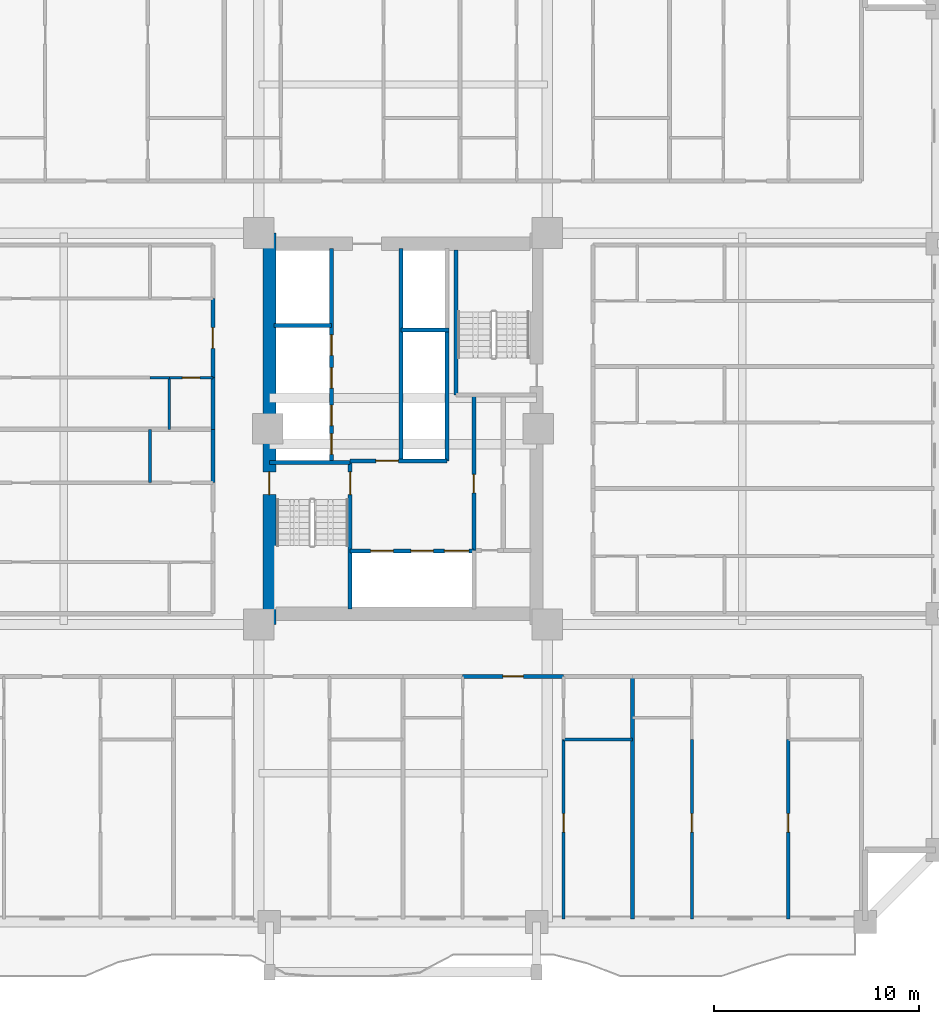
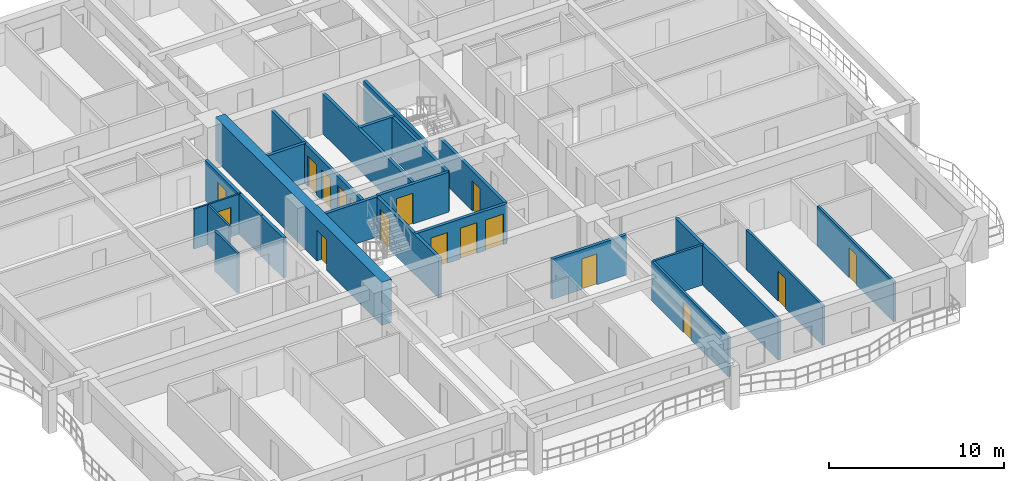
# One storey, part 4 of 18: 25 walls, 17 doors, 17 openings.
"""IFC4 building model written with IfcOpenShell, lengths in metres."""

from ifc_helpers import new_model, si_unit, direction, frame, frame_2d, origin, place, context, subcontext, project, spatial, rectangle, extrude, source, transform, mapped, material, layer, layer_set, type_object, element, fill, save


model = new_model("IFC4")

# Units and contexts
model_context = context("Model", 3, precision=1e-05, world=origin(), true_north=direction((0.0, 1.0)))
body_context = subcontext(model_context, "Body", "Model", "MODEL_VIEW")
ifc_project = project(units=[si_unit("LENGTHUNIT", "METRE"), si_unit("AREAUNIT", "SQUARE_METRE"), si_unit("VOLUMEUNIT", "CUBIC_METRE"), si_unit("PLANEANGLEUNIT", "RADIAN"), si_unit("MASSUNIT", "GRAM", prefix="KILO")], contexts=[model_context])

# Site, building, storey
site_placement = place(None, origin())
site = spatial("IfcSite", under=ifc_project, at=site_placement, CompositionType="ELEMENT")
building_placement = place(site_placement, origin())
building = spatial("IfcBuilding", under=site, at=building_placement, Name="Saelheon Loggia Tower", CompositionType="ELEMENT")
storey_placement = place(building_placement, frame((0.0, 0.0, 40.39990234375)))
storey = spatial("IfcBuildingStorey", under=building, at=storey_placement, Name="L12", CompositionType="ELEMENT", Elevation=40.39990234375)

# Wall, opening, door
ifc_material_1 = material(Name="Concrete C60/75", Category="concrete")
ifc_layer_1 = layer(ifc_material_1, 0.64990234375)
ifc_layer_set_1 = layer_set([ifc_layer_1], Name="Concrete C60/75")
wall_type_1 = type_object("IfcWallType", Name="Wall_CoreShear_650", PredefinedType="SHEAR", material=ifc_layer_set_1)
wall_1_placement = place(storey_placement, frame((31.5, 17.47998046875, 0.0), z_axis=(0.0, 0.0, 1.0), x_axis=(0.0, 1.0, 0.0)))
wall_1 = element("IfcWall", 1, at=wall_1_placement, inside=storey, type_object=wall_type_1, Name="L12 Core Shear Wall West", PredefinedType="SHEAR", context=body_context, shape_type="SweptSolid", body=[
    extrude(rectangle(XDim=19.0400390625, YDim=0.64990234375, at=frame_2d((9.52001953125, 0.0))), origin(), (0.0, 0.0, 1.0), 3.0),
])
opening_1_placement = place(wall_1_placement, frame((6.320068359375, 0.0, 0.0)))
opening_1 = element("IfcOpeningElement", 2, at=opening_1_placement, cuts=wall_1, Name="Opening D-FD2", PredefinedType="OPENING", context=body_context, shape_type="SweptSolid", body=[
    extrude(rectangle(XDim=1.10009765625, YDim=2.14990234375, at=frame_2d((0.550048828125, 1.074951171875))), frame((0.0, 0.3369140625, 0.0), z_axis=(0.0, -1.0, 0.0), x_axis=(1.0, 0.0, 0.0)), (0.0, 0.0, 1.0), 0.673828125),
])
ifc_material_2 = material(Name="Galvanised Steel Fire Door", Category="steel")
door_type_1 = type_object("IfcDoorType", Name="Door_Fire_FD60_1100", OperationType="NOTDEFINED", PredefinedType="DOOR", material=ifc_material_2)
shared_shape_1 = source(origin(), body_context, "Body", "SweptSolid", [
    extrude(rectangle(XDim=1.10009765625, YDim=2.14990234375, at=frame_2d((0.550048828125, 1.074951171875))), frame((0.0, 0.02490234375, 0.0), z_axis=(0.0, -1.0, 0.0), x_axis=(1.0, 0.0, 0.0)), (0.0, 0.0, 1.0), 0.050048828125),
])
door_1_placement = place(opening_1_placement, origin())
door_1 = element("IfcDoor", 3, at=door_1_placement, inside=storey, type_object=door_type_1, Name="L12 Stair ST1 Corridor Door", OperationType="SINGLE_SWING_LEFT", OverallHeight=2.14990234375, OverallWidth=1.10009765625, PredefinedType="DOOR", context=body_context, shape_type="MappedRepresentation", body=[
    mapped(shared_shape_1, transform((0.0, 0.0, 0.0), scale=1.0)),
])
fill(opening_1, door_1)

# Wall
ifc_material_3 = material(Name="Lightweight Autoclaved Aerated Concrete Block and Acoustic Gypsum", Category="concrete")
ifc_layer_2 = layer(ifc_material_3, 0.14990234375)
ifc_layer_set_2 = layer_set([ifc_layer_2], Name="Lightweight Autoclaved Aerated Concrete Block and Acoustic Gypsum")
wall_type_2 = type_object("IfcWallType", Name="Wall_Part_150", PredefinedType="PARTITIONING", material=ifc_layer_set_2)
wall_2_placement = place(storey_placement, frame((45.820068359375, 11.8798828125, 0.0), z_axis=(0.0, 0.0, 1.0), x_axis=(1.0, 0.0, 0.0)))
element("IfcWall", 4, at=wall_2_placement, inside=storey, type_object=wall_type_2, Name="L12 S Partition V29", PredefinedType="PARTITIONING", context=body_context, shape_type="SweptSolid", body=[
    extrude(rectangle(XDim=3.33984375, YDim=0.14990234375, at=frame_2d((1.669921875, 0.0))), origin(), (0.0, 0.0, 1.0), 2.7900390625),
])

# Wall, opening, door
wall_3_placement = place(storey_placement, frame((45.820068359375, 11.8798828125, 0.0), z_axis=(0.0, 0.0, 1.0), x_axis=(0.0, -1.0, 0.0)))
wall_3 = element("IfcWall", 5, at=wall_3_placement, inside=storey, type_object=wall_type_2, Name="L12 S Partition U34", PredefinedType="PARTITIONING", context=body_context, shape_type="SweptSolid", body=[
    extrude(rectangle(XDim=8.72998046875, YDim=0.14990234375, at=frame_2d((4.364990234375, 0.0))), origin(), (0.0, 0.0, 1.0), 2.7900390625),
])
opening_2_placement = place(wall_3_placement, frame((3.608642578125, 0.0, 0.0)))
opening_2 = element("IfcOpeningElement", 6, at=opening_2_placement, cuts=wall_3, Name="Opening D-IN2", PredefinedType="OPENING", context=body_context, shape_type="SweptSolid", body=[
    extrude(rectangle(XDim=0.89990234375, YDim=2.10009765625, at=frame_2d((0.449951171875, 1.050048828125))), frame((0.0, 0.0869140625, 0.0), z_axis=(0.0, -1.0, 0.0), x_axis=(1.0, 0.0, 0.0)), (0.0, 0.0, 1.0), 0.173828125),
])
ifc_material_4 = material(Name="Engineered Oak Flush Door", Category="timber")
door_type_2 = type_object("IfcDoorType", Name="Door_Int_900", OperationType="NOTDEFINED", PredefinedType="DOOR", material=ifc_material_4)
shared_shape_2 = source(origin(), body_context, "Body", "SweptSolid", [
    extrude(rectangle(XDim=0.89990234375, YDim=2.10009765625, at=frame_2d((0.449951171875, 1.050048828125))), frame((0.0, 0.02490234375, 0.0), z_axis=(0.0, -1.0, 0.0), x_axis=(1.0, 0.0, 0.0)), (0.0, 0.0, 1.0), 0.050048828125),
])
door_2_placement = place(opening_2_placement, origin())
door_2 = element("IfcDoor", 7, at=door_2_placement, inside=storey, type_object=door_type_2, Name="Unit U03 Bedroom 1 Door", OperationType="SINGLE_SWING_LEFT", OverallHeight=2.10009765625, OverallWidth=0.89990234375, PredefinedType="DOOR", context=body_context, shape_type="MappedRepresentation", body=[
    mapped(shared_shape_2, transform((0.0, 0.0, 0.0), scale=1.0)),
])
fill(opening_2, door_2)

wall_4_placement = place(storey_placement, frame((52.0615234375, 11.8798828125, 0.0), z_axis=(0.0, 0.0, 1.0), x_axis=(0.0, -1.0, 0.0)))
wall_4 = element("IfcWall", 8, at=wall_4_placement, inside=storey, type_object=wall_type_2, Name="L12 S Partition U43", PredefinedType="PARTITIONING", context=body_context, shape_type="SweptSolid", body=[
    extrude(rectangle(XDim=8.72998046875, YDim=0.14990234375, at=frame_2d((4.364990234375, 0.0))), origin(), (0.0, 0.0, 1.0), 2.7900390625),
])
opening_3_placement = place(wall_4_placement, frame((3.608642578125, 0.0, 0.0)))
opening_3 = element("IfcOpeningElement", 9, at=opening_3_placement, cuts=wall_4, Name="Opening D-IN2", PredefinedType="OPENING", context=body_context, shape_type="SweptSolid", body=[
    extrude(rectangle(XDim=0.89990234375, YDim=2.10009765625, at=frame_2d((0.449951171875, 1.050048828125))), frame((0.0, 0.0869140625, 0.0), z_axis=(0.0, -1.0, 0.0), x_axis=(1.0, 0.0, 0.0)), (0.0, 0.0, 1.0), 0.173828125),
])
door_3_placement = place(opening_3_placement, origin())
door_3 = element("IfcDoor", 10, at=door_3_placement, inside=storey, type_object=door_type_2, Name="Unit U04 Bedroom 2 Door", OperationType="SINGLE_SWING_RIGHT", OverallHeight=2.10009765625, OverallWidth=0.89990234375, PredefinedType="DOOR", context=body_context, shape_type="MappedRepresentation", body=[
    mapped(shared_shape_2, transform((0.0, 0.0, 0.0), scale=1.0)),
])
fill(opening_3, door_3)

wall_5_placement = place(storey_placement, frame((56.748779296875, 11.8798828125, 0.0), z_axis=(0.0, 0.0, 1.0), x_axis=(0.0, -1.0, 0.0)))
wall_5 = element("IfcWall", 11, at=wall_5_placement, inside=storey, type_object=wall_type_2, Name="L12 S Partition U45", PredefinedType="PARTITIONING", context=body_context, shape_type="SweptSolid", body=[
    extrude(rectangle(XDim=8.72998046875, YDim=0.14990234375, at=frame_2d((4.364990234375, 0.0))), origin(), (0.0, 0.0, 1.0), 2.7900390625),
])
opening_4_placement = place(wall_5_placement, frame((3.608642578125, 0.0, 0.0)))
opening_4 = element("IfcOpeningElement", 12, at=opening_4_placement, cuts=wall_5, Name="Opening D-IN2", PredefinedType="OPENING", context=body_context, shape_type="SweptSolid", body=[
    extrude(rectangle(XDim=0.89990234375, YDim=2.10009765625, at=frame_2d((0.449951171875, 1.050048828125))), frame((0.0, 0.0869140625, 0.0), z_axis=(0.0, -1.0, 0.0), x_axis=(1.0, 0.0, 0.0)), (0.0, 0.0, 1.0), 0.173828125),
])
door_4_placement = place(opening_4_placement, origin())
door_4 = element("IfcDoor", 13, at=door_4_placement, inside=storey, type_object=door_type_2, Name="Unit U04 Bedroom 1 Door", OperationType="SINGLE_SWING_RIGHT", OverallHeight=2.10009765625, OverallWidth=0.89990234375, PredefinedType="DOOR", context=body_context, shape_type="MappedRepresentation", body=[
    mapped(shared_shape_2, transform((0.0, 0.0, 0.0), scale=1.0)),
])
fill(opening_4, door_4)

# Wall
wall_6_placement = place(storey_placement, frame((25.679931640625, 24.375, 0.0), z_axis=(0.0, 0.0, 1.0), x_axis=(0.0, 1.0, 0.0)))
element("IfcWall", 14, at=wall_6_placement, inside=storey, type_object=wall_type_2, Name="L12 W Partition V07", PredefinedType="PARTITIONING", context=body_context, shape_type="SweptSolid", body=[
    extrude(rectangle(XDim=2.60009765625, YDim=0.14990234375, at=frame_2d((1.300048828125, 0.0))), origin(), (0.0, 0.0, 1.0), 2.7900390625),
])

# Wall, opening, door
ifc_material_5 = material(Name="Double Acoustic Stud and Fireboard Partition", Category="gypsum")
ifc_layer_3 = layer(ifc_material_5, 0.199951171875)
ifc_layer_set_3 = layer_set([ifc_layer_3], Name="Double Acoustic Stud and Fireboard Partition")
wall_type_3 = type_object("IfcWallType", Name="Wall_Party_200", PredefinedType="PARTITIONING", material=ifc_layer_set_3)
wall_7_placement = place(storey_placement, frame((40.901611328125, 14.949951171875, 0.0), z_axis=(0.0, 0.0, 1.0), x_axis=(1.0, 0.0, 0.0)))
wall_7 = element("IfcWall", 15, at=wall_7_placement, inside=storey, type_object=wall_type_3, Name="L12 S Partition V26", PredefinedType="PARTITIONING", context=body_context, shape_type="SweptSolid", body=[
    extrude(rectangle(XDim=4.91845703125, YDim=0.199951171875, at=frame_2d((2.459228515625, 0.0))), origin(), (0.0, 0.0, 1.0), 2.7900390625),
])
opening_5_placement = place(wall_7_placement, frame((1.959228515625, 0.0, 0.0)))
opening_5 = element("IfcOpeningElement", 16, at=opening_5_placement, cuts=wall_7, Name="Opening D-FD1", PredefinedType="OPENING", context=body_context, shape_type="SweptSolid", body=[
    extrude(rectangle(XDim=1.0, YDim=2.14990234375, at=frame_2d((0.5, 1.074951171875))), frame((0.0, 0.112060546875, 0.0), z_axis=(0.0, -1.0, 0.0), x_axis=(1.0, 0.0, 0.0)), (0.0, 0.0, 1.0), 0.223876953125),
])
ifc_material_6 = material(Name="Fire-Rated Engineered Timber Entrance Door", Category="wood")
door_type_3 = type_object("IfcDoorType", Name="Door_Flat_FD30S", OperationType="NOTDEFINED", PredefinedType="DOOR", material=ifc_material_6)
shared_shape_3 = source(origin(), body_context, "Body", "SweptSolid", [
    extrude(rectangle(XDim=1.0, YDim=2.14990234375, at=frame_2d((0.5, 1.074951171875))), frame((0.0, 0.02490234375, 0.0), z_axis=(0.0, -1.0, 0.0), x_axis=(1.0, 0.0, 0.0)), (0.0, 0.0, 1.0), 0.050048828125),
])
door_5_placement = place(opening_5_placement, origin())
door_5 = element("IfcDoor", 17, at=door_5_placement, inside=storey, type_object=door_type_3, Name="Unit U03 Entrance Door", OperationType="SINGLE_SWING_LEFT", OverallHeight=2.14990234375, OverallWidth=1.0, PredefinedType="DOOR", context=body_context, shape_type="MappedRepresentation", body=[
    mapped(shared_shape_3, transform((0.0, 0.0, 0.0), scale=1.0)),
])
fill(opening_5, door_5)

# Walls
wall_8_placement = place(storey_placement, frame((49.159912109375, 14.949951171875, 0.0), z_axis=(0.0, 0.0, 1.0), x_axis=(0.0, -1.0, 0.0)))
element("IfcWall", 18, at=wall_8_placement, inside=storey, type_object=wall_type_3, Name="L12 S Partition U35", PredefinedType="PARTITIONING", context=body_context, shape_type="SweptSolid", body=[
    extrude(rectangle(XDim=11.800048828125, YDim=0.199951171875, at=frame_2d((5.89990234375, 0.0))), origin(), (0.0, 0.0, 1.0), 2.7900390625),
])
wall_9_placement = place(storey_placement, frame((28.75, 24.375, 0.0), z_axis=(0.0, 0.0, 1.0), x_axis=(0.0, 1.0, 0.0)))
element("IfcWall", 19, at=wall_9_placement, inside=storey, type_object=wall_type_3, Name="L12 W Partition V05", PredefinedType="PARTITIONING", context=body_context, shape_type="SweptSolid", body=[
    extrude(rectangle(XDim=2.60009765625, YDim=0.199951171875, at=frame_2d((1.300048828125, 0.0))), origin(), (0.0, 0.0, 1.0), 2.7900390625),
])
wall_10_placement = place(storey_placement, frame((28.75, 26.97509765625, 0.0), z_axis=(0.0, 0.0, 1.0), x_axis=(0.0, 1.0, 0.0)))
element("IfcWall", 20, at=wall_10_placement, inside=storey, type_object=wall_type_3, Name="L12 W Partition V14", PredefinedType="PARTITIONING", context=body_context, shape_type="SweptSolid", body=[
    extrude(rectangle(XDim=2.512939453125, YDim=0.199951171875, at=frame_2d((1.25634765625, 0.0))), origin(), (0.0, 0.0, 1.0), 2.7900390625),
])

# Wall, opening, door
wall_11_placement = place(storey_placement, frame((28.75, 29.488037109375, 0.0), z_axis=(0.0, 0.0, 1.0), x_axis=(0.0, 1.0, 0.0)))
wall_11 = element("IfcWall", 21, at=wall_11_placement, inside=storey, type_object=wall_type_3, Name="L12 W Partition V15", PredefinedType="PARTITIONING", context=body_context, shape_type="SweptSolid", body=[
    extrude(rectangle(XDim=3.862060546875, YDim=0.199951171875, at=frame_2d((1.93115234375, 0.0))), origin(), (0.0, 0.0, 1.0), 2.7900390625),
])
opening_6_placement = place(wall_11_placement, frame((1.430908203125, 0.0, 0.0)))
opening_6 = element("IfcOpeningElement", 22, at=opening_6_placement, cuts=wall_11, Name="Opening D-FD1", PredefinedType="OPENING", context=body_context, shape_type="SweptSolid", body=[
    extrude(rectangle(XDim=1.0, YDim=2.14990234375, at=frame_2d((0.5, 1.074951171875))), frame((0.0, 0.112060546875, 0.0), z_axis=(0.0, -1.0, 0.0), x_axis=(1.0, 0.0, 0.0)), (0.0, 0.0, 1.0), 0.223876953125),
])
door_6_placement = place(opening_6_placement, origin())
door_6 = element("IfcDoor", 23, at=door_6_placement, inside=storey, type_object=door_type_3, Name="Unit U10 Entrance Door", OperationType="SINGLE_SWING_LEFT", OverallHeight=2.14990234375, OverallWidth=1.0, PredefinedType="DOOR", context=body_context, shape_type="MappedRepresentation", body=[
    mapped(shared_shape_3, transform((0.0, 0.0, 0.0), scale=1.0)),
])
fill(opening_6, door_6)

ifc_material_7 = material(Name="Concrete C40/50", Category="concrete")
ifc_layer_4 = layer(ifc_material_7, 0.199951171875)
ifc_layer_set_4 = layer_set([ifc_layer_4], Name="Concrete C40/50")
wall_type_4 = type_object("IfcWallType", Name="Wall_Shaft_200", PredefinedType="PARTITIONING", material=ifc_layer_set_4)
wall_12_placement = place(storey_placement, frame((41.449951171875, 21.080078125, 0.0), z_axis=(0.0, 0.0, 1.0), x_axis=(0.0, 1.0, 0.0)))
wall_12 = element("IfcWall", 24, at=wall_12_placement, inside=storey, type_object=wall_type_4, Name="CW-INT-L12-BOH-W1", PredefinedType="PARTITIONING", context=body_context, shape_type="SweptSolid", body=[
    extrude(rectangle(XDim=7.52001953125, YDim=0.199951171875, at=frame_2d((3.760009765625, 0.0))), origin(), (0.0, 0.0, 1.0), 2.7900390625),
])
opening_7_placement = place(wall_12_placement, frame((2.800048828125, 0.0, 0.0)))
opening_7 = element("IfcOpeningElement", 25, at=opening_7_placement, cuts=wall_12, Name="Opening D-RS1", PredefinedType="OPENING", context=body_context, shape_type="SweptSolid", body=[
    extrude(rectangle(XDim=0.89990234375, YDim=2.10009765625, at=frame_2d((0.449951171875, 1.050048828125))), frame((0.0, 0.112060546875, 0.0), z_axis=(0.0, -1.0, 0.0), x_axis=(1.0, 0.0, 0.0)), (0.0, 0.0, 1.0), 0.223876953125),
])
ifc_material_8 = material(Name="Galvanised Steel Riser Access Door", Category="steel")
door_type_4 = type_object("IfcDoorType", Name="Door_Riser_FD60", OperationType="NOTDEFINED", PredefinedType="DOOR", material=ifc_material_8)
door_7_placement = place(opening_7_placement, origin())
door_7 = element("IfcDoor", 26, at=door_7_placement, inside=storey, type_object=door_type_4, Name="L12 Service Store Door", OperationType="SINGLE_SWING_RIGHT", OverallHeight=2.10009765625, OverallWidth=0.89990234375, PredefinedType="DOOR", context=body_context, shape_type="MappedRepresentation", body=[
    mapped(shared_shape_2, transform((0.0, 0.0, 0.0), scale=1.0)),
])
fill(opening_7, door_7)

# Wall
wall_13_placement = place(storey_placement, frame((40.14990234375, 25.43994140625, 0.0), z_axis=(0.0, 0.0, 1.0), x_axis=(0.0, 1.0, 0.0)))
element("IfcWall", 27, at=wall_13_placement, inside=storey, type_object=wall_type_4, Name="L12 Core Service Passage West Wall", PredefinedType="PARTITIONING", context=body_context, shape_type="SweptSolid", body=[
    extrude(rectangle(XDim=6.360107421875, YDim=0.199951171875, at=frame_2d((3.18017578125, 0.0))), origin(), (0.0, 0.0, 1.0), 2.7900390625),
])

# Wall, openings, doors
wall_14_placement = place(storey_placement, frame((35.429931640625, 21.06005859375, 0.0), z_axis=(0.0, 0.0, 1.0), x_axis=(1.0, 0.0, 0.0)))
wall_14 = element("IfcWall", 28, at=wall_14_placement, inside=storey, type_object=wall_type_4, Name="L12 Firefighting Lift Shaft Front Wall", PredefinedType="PARTITIONING", context=body_context, shape_type="SweptSolid", body=[
    extrude(rectangle(XDim=6.02001953125, YDim=0.199951171875, at=frame_2d((3.010009765625, 0.0))), origin(), (0.0, 0.0, 1.0), 2.7900390625),
])
opening_8_placement = place(wall_14_placement, frame((1.0, 0.0, 0.0)))
opening_8 = element("IfcOpeningElement", 29, at=opening_8_placement, cuts=wall_14, Name="Opening LD2", PredefinedType="OPENING", context=body_context, shape_type="SweptSolid", body=[
    extrude(rectangle(XDim=1.10009765625, YDim=2.14990234375, at=frame_2d((0.550048828125, 1.074951171875))), frame((0.0, 0.112060546875, 0.0), z_axis=(0.0, -1.0, 0.0), x_axis=(1.0, 0.0, 0.0)), (0.0, 0.0, 1.0), 0.223876953125),
])
opening_9_placement = place(wall_14_placement, frame((2.949951171875, 0.0, 0.0)))
opening_9 = element("IfcOpeningElement", 30, at=opening_9_placement, cuts=wall_14, Name="Opening LD2", PredefinedType="OPENING", context=body_context, shape_type="SweptSolid", body=[
    extrude(rectangle(XDim=1.10009765625, YDim=2.14990234375, at=frame_2d((0.550048828125, 1.074951171875))), frame((0.0, 0.112060546875, 0.0), z_axis=(0.0, -1.0, 0.0), x_axis=(1.0, 0.0, 0.0)), (0.0, 0.0, 1.0), 0.223876953125),
])
opening_10_placement = place(wall_14_placement, frame((4.580078125, 0.0, 0.0)))
opening_10 = element("IfcOpeningElement", 31, at=opening_10_placement, cuts=wall_14, Name="Opening LD3", PredefinedType="OPENING", context=body_context, shape_type="SweptSolid", body=[
    extrude(rectangle(XDim=1.199951171875, YDim=2.14990234375, at=frame_2d((0.60009765625, 1.074951171875))), frame((0.0, 0.112060546875, 0.0), z_axis=(0.0, -1.0, 0.0), x_axis=(1.0, 0.0, 0.0)), (0.0, 0.0, 1.0), 0.223876953125),
])
ifc_material_9 = material(Name="Firefighting Stainless Steel 316 Landing Door", Category="steel")
door_type_5 = type_object("IfcDoorType", Name="Door_Lift_LD2", OperationType="DOUBLE_DOOR_SLIDING", PredefinedType="DOOR", material=ifc_material_9)
door_8_placement = place(opening_8_placement, origin())
door_8 = element("IfcDoor", 32, at=door_8_placement, inside=storey, type_object=door_type_5, Name="L12 FF1 Landing Door", OperationType="DOUBLE_DOOR_SLIDING", OverallHeight=2.14990234375, OverallWidth=1.10009765625, PredefinedType="DOOR", context=body_context, shape_type="MappedRepresentation", body=[
    mapped(shared_shape_1, transform((0.0, 0.0, 0.0), scale=1.0)),
])
fill(opening_8, door_8)
door_9_placement = place(opening_9_placement, origin())
door_9 = element("IfcDoor", 33, at=door_9_placement, inside=storey, type_object=door_type_5, Name="L12 FF2 Landing Door", OperationType="DOUBLE_DOOR_SLIDING", OverallHeight=2.14990234375, OverallWidth=1.10009765625, PredefinedType="DOOR", context=body_context, shape_type="MappedRepresentation", body=[
    mapped(shared_shape_1, transform((0.0, 0.0, 0.0), scale=1.0)),
])
fill(opening_9, door_9)
ifc_material_10 = material(Name="Stretcher Lift Stainless Steel 304 Landing Door", Category="steel")
door_type_6 = type_object("IfcDoorType", Name="Door_Lift_LD3", OperationType="DOUBLE_DOOR_SLIDING", PredefinedType="DOOR", material=ifc_material_10)
shared_shape_4 = source(origin(), body_context, "Body", "SweptSolid", [
    extrude(rectangle(XDim=1.199951171875, YDim=2.14990234375, at=frame_2d((0.60009765625, 1.074951171875))), frame((0.0, 0.02490234375, 0.0), z_axis=(0.0, -1.0, 0.0), x_axis=(1.0, 0.0, 0.0)), (0.0, 0.0, 1.0), 0.050048828125),
])
door_10_placement = place(opening_10_placement, origin())
door_10 = element("IfcDoor", 34, at=door_10_placement, inside=storey, type_object=door_type_6, Name="L12 SV1 Landing Door", OperationType="DOUBLE_DOOR_SLIDING", OverallHeight=2.14990234375, OverallWidth=1.199951171875, PredefinedType="DOOR", context=body_context, shape_type="MappedRepresentation", body=[
    mapped(shared_shape_4, transform((0.0, 0.0, 0.0), scale=1.0)),
])
fill(opening_10, door_10)

# Wall, opening, door
wall_15_placement = place(storey_placement, frame((35.429931640625, 25.43994140625, 0.0), z_axis=(0.0, 0.0, 1.0), x_axis=(1.0, 0.0, 0.0)))
wall_15 = element("IfcWall", 35, at=wall_15_placement, inside=storey, type_object=wall_type_4, Name="L12 Firefighting Lobby Compartment Wall", PredefinedType="PARTITIONING", context=body_context, shape_type="SweptSolid", body=[
    extrude(rectangle(XDim=4.719970703125, YDim=0.199951171875, at=frame_2d((2.35986328125, 0.0))), origin(), (0.0, 0.0, 1.0), 2.7900390625),
])
opening_11_placement = place(wall_15_placement, frame((1.25, 0.0, 0.0)))
opening_11 = element("IfcOpeningElement", 36, at=opening_11_placement, cuts=wall_15, Name="Opening D-FD2", PredefinedType="OPENING", context=body_context, shape_type="SweptSolid", body=[
    extrude(rectangle(XDim=1.10009765625, YDim=2.14990234375, at=frame_2d((0.550048828125, 1.074951171875))), frame((0.0, 0.112060546875, 0.0), z_axis=(0.0, -1.0, 0.0), x_axis=(1.0, 0.0, 0.0)), (0.0, 0.0, 1.0), 0.223876953125),
])
door_11_placement = place(opening_11_placement, origin())
door_11 = element("IfcDoor", 37, at=door_11_placement, inside=storey, type_object=door_type_1, Name="L12 Firefighting Lobby Door", OperationType="SINGLE_SWING_LEFT", OverallHeight=2.14990234375, OverallWidth=1.10009765625, PredefinedType="DOOR", context=body_context, shape_type="MappedRepresentation", body=[
    mapped(shared_shape_1, transform((0.0, 0.0, 0.0), scale=1.0)),
])
fill(opening_11, door_11)

# Wall, openings, doors
wall_16_placement = place(storey_placement, frame((34.52001953125, 25.43994140625, 0.0), z_axis=(0.0, 0.0, 1.0), x_axis=(0.0, 1.0, 0.0)))
wall_16 = element("IfcWall", 38, at=wall_16_placement, inside=storey, type_object=wall_type_4, Name="L12 West Passenger Lift Bank Wall", PredefinedType="PARTITIONING", context=body_context, shape_type="SweptSolid", body=[
    extrude(rectangle(XDim=10.340087890625, YDim=0.199951171875, at=frame_2d((5.169921875, 0.0))), origin(), (0.0, 0.0, 1.0), 2.7900390625),
])
opening_12_placement = place(wall_16_placement, frame((0.320068359375, 0.0, 0.0)))
opening_12 = element("IfcOpeningElement", 39, at=opening_12_placement, cuts=wall_16, Name="Opening LD1", PredefinedType="OPENING", context=body_context, shape_type="SweptSolid", body=[
    extrude(rectangle(XDim=1.0, YDim=2.14990234375, at=frame_2d((0.5, 1.074951171875))), frame((0.0, 0.112060546875, 0.0), z_axis=(0.0, -1.0, 0.0), x_axis=(1.0, 0.0, 0.0)), (0.0, 0.0, 1.0), 0.223876953125),
])
opening_13_placement = place(wall_16_placement, frame((1.7099609375, 0.0, 0.0)))
opening_13 = element("IfcOpeningElement", 40, at=opening_13_placement, cuts=wall_16, Name="Opening LD1", PredefinedType="OPENING", context=body_context, shape_type="SweptSolid", body=[
    extrude(rectangle(XDim=1.0, YDim=2.14990234375, at=frame_2d((0.5, 1.074951171875))), frame((0.0, 0.112060546875, 0.0), z_axis=(0.0, -1.0, 0.0), x_axis=(1.0, 0.0, 0.0)), (0.0, 0.0, 1.0), 0.223876953125),
])
opening_14_placement = place(wall_16_placement, frame((3.534912109375, 0.0, 0.0)))
opening_14 = element("IfcOpeningElement", 41, at=opening_14_placement, cuts=wall_16, Name="Opening LD1", PredefinedType="OPENING", context=body_context, shape_type="SweptSolid", body=[
    extrude(rectangle(XDim=1.0, YDim=2.14990234375, at=frame_2d((0.5, 1.074951171875))), frame((0.0, 0.112060546875, 0.0), z_axis=(0.0, -1.0, 0.0), x_axis=(1.0, 0.0, 0.0)), (0.0, 0.0, 1.0), 0.223876953125),
])
opening_15_placement = place(wall_16_placement, frame((5.135009765625, 0.0, 0.0)))
opening_15 = element("IfcOpeningElement", 42, at=opening_15_placement, cuts=wall_16, Name="Opening LD1", PredefinedType="OPENING", context=body_context, shape_type="SweptSolid", body=[
    extrude(rectangle(XDim=1.0, YDim=2.14990234375, at=frame_2d((0.5, 1.074951171875))), frame((0.0, 0.112060546875, 0.0), z_axis=(0.0, -1.0, 0.0), x_axis=(1.0, 0.0, 0.0)), (0.0, 0.0, 1.0), 0.223876953125),
])
ifc_material_11 = material(Name="Brushed Stainless Steel 304 Landing Door", Category="steel")
door_type_7 = type_object("IfcDoorType", Name="Door_Lift_LD1", OperationType="DOUBLE_DOOR_SLIDING", PredefinedType="DOOR", material=ifc_material_11)
door_12_placement = place(opening_12_placement, origin())
door_12 = element("IfcDoor", 43, at=door_12_placement, inside=storey, type_object=door_type_7, Name="L12 PL1 Landing Door", OperationType="DOUBLE_DOOR_SLIDING", OverallHeight=2.14990234375, OverallWidth=1.0, PredefinedType="DOOR", context=body_context, shape_type="MappedRepresentation", body=[
    mapped(shared_shape_3, transform((0.0, 0.0, 0.0), scale=1.0)),
])
fill(opening_12, door_12)
door_13_placement = place(opening_13_placement, origin())
door_13 = element("IfcDoor", 44, at=door_13_placement, inside=storey, type_object=door_type_7, Name="L12 PL2 Landing Door", OperationType="DOUBLE_DOOR_SLIDING", OverallHeight=2.14990234375, OverallWidth=1.0, PredefinedType="DOOR", context=body_context, shape_type="MappedRepresentation", body=[
    mapped(shared_shape_3, transform((0.0, 0.0, 0.0), scale=1.0)),
])
fill(opening_13, door_13)
door_14_placement = place(opening_14_placement, origin())
door_14 = element("IfcDoor", 45, at=door_14_placement, inside=storey, type_object=door_type_7, Name="L12 PL3 Landing Door", OperationType="DOUBLE_DOOR_SLIDING", OverallHeight=2.14990234375, OverallWidth=1.0, PredefinedType="DOOR", context=body_context, shape_type="MappedRepresentation", body=[
    mapped(shared_shape_3, transform((0.0, 0.0, 0.0), scale=1.0)),
])
fill(opening_14, door_14)
door_15_placement = place(opening_15_placement, origin())
door_15 = element("IfcDoor", 46, at=door_15_placement, inside=storey, type_object=door_type_7, Name="L12 PL4 Landing Door", OperationType="DOUBLE_DOOR_SLIDING", OverallHeight=2.14990234375, OverallWidth=1.0, PredefinedType="DOOR", context=body_context, shape_type="MappedRepresentation", body=[
    mapped(shared_shape_3, transform((0.0, 0.0, 0.0), scale=1.0)),
])
fill(opening_15, door_15)

# Walls
wall_17_placement = place(storey_placement, frame((31.719970703125, 32.02001953125, 0.0), z_axis=(0.0, 0.0, 1.0), x_axis=(1.0, 0.0, 0.0)))
element("IfcWall", 47, at=wall_17_placement, inside=storey, type_object=wall_type_4, Name="L12 West High-Rise Shaft Divider", PredefinedType="PARTITIONING", context=body_context, shape_type="SweptSolid", body=[
    extrude(rectangle(XDim=2.800048828125, YDim=0.199951171875, at=frame_2d((1.39990234375, 0.0))), origin(), (0.0, 0.0, 1.0), 2.7900390625),
])
wall_18_placement = place(storey_placement, frame((37.89990234375, 25.43994140625, 0.0), z_axis=(0.0, 0.0, 1.0), x_axis=(0.0, 1.0, 0.0)))
element("IfcWall", 48, at=wall_18_placement, inside=storey, type_object=wall_type_4, Name="L12 East Passenger Lift Bank Wall", PredefinedType="PARTITIONING", context=body_context, shape_type="SweptSolid", body=[
    extrude(rectangle(XDim=10.340087890625, YDim=0.199951171875, at=frame_2d((5.169921875, 0.0))), origin(), (0.0, 0.0, 1.0), 2.7900390625),
])
wall_19_placement = place(storey_placement, frame((37.89990234375, 31.800048828125, 0.0), z_axis=(0.0, 0.0, 1.0), x_axis=(1.0, 0.0, 0.0)))
element("IfcWall", 49, at=wall_19_placement, inside=storey, type_object=wall_type_4, Name="L12 East High-Rise Shaft Divider", PredefinedType="PARTITIONING", context=body_context, shape_type="SweptSolid", body=[
    extrude(rectangle(XDim=2.35009765625, YDim=0.199951171875, at=frame_2d((1.175048828125, 0.0))), origin(), (0.0, 0.0, 1.0), 2.7900390625),
])

# Wall, opening, door
ifc_material_12 = material(Name="Concrete C45/55", Category="concrete")
ifc_layer_5 = layer(ifc_material_12, 0.199951171875)
ifc_layer_set_5 = layer_set([ifc_layer_5], Name="Concrete C45/55")
wall_type_5 = type_object("IfcWallType", Name="Wall_StairShaft_RC200", PredefinedType="SOLIDWALL", material=ifc_layer_set_5)
wall_20_placement = place(storey_placement, frame((35.429931640625, 18.219970703125, 0.0), z_axis=(0.0, 0.0, 1.0), x_axis=(0.0, 1.0, 0.0)))
wall_20 = element("IfcWall", 50, at=wall_20_placement, inside=storey, type_object=wall_type_5, Name="L12 Stair ST1 Shaft Wall", PredefinedType="SOLIDWALL", context=body_context, shape_type="SweptSolid", body=[
    extrude(rectangle(XDim=7.219970703125, YDim=0.199951171875, at=frame_2d((3.60986328125, 0.0))), origin(), (0.0, 0.0, 1.0), 2.7900390625),
])
opening_16_placement = place(wall_20_placement, frame((6.68017578125, 0.0, 0.0), z_axis=(0.0, 0.0, 1.0), x_axis=(-1.0, 0.0, 0.0)))
opening_16 = element("IfcOpeningElement", 51, at=opening_16_placement, cuts=wall_20, Name="Opening D-FD2", PredefinedType="OPENING", context=body_context, shape_type="SweptSolid", body=[
    extrude(rectangle(XDim=1.10009765625, YDim=2.14990234375, at=frame_2d((0.550048828125, 1.074951171875))), frame((0.0, 0.112060546875, 0.0), z_axis=(0.0, -1.0, 0.0), x_axis=(1.0, 0.0, 0.0)), (0.0, 0.0, 1.0), 0.223876953125),
])
door_16_placement = place(opening_16_placement, origin())
door_16 = element("IfcDoor", 52, at=door_16_placement, inside=storey, type_object=door_type_1, Name="L12 Stair ST1 Lobby Door", OperationType="SINGLE_SWING_RIGHT", OverallHeight=2.14990234375, OverallWidth=1.10009765625, PredefinedType="DOOR", context=body_context, shape_type="MappedRepresentation", body=[
    mapped(shared_shape_1, transform((0.0, 0.0, 0.0), scale=1.0)),
])
fill(opening_16, door_16)

# Walls
wall_21_placement = place(storey_placement, frame((31.5, 25.35009765625, 0.0), z_axis=(0.0, 0.0, 1.0), x_axis=(1.0, 0.0, 0.0)))
element("IfcWall", 53, at=wall_21_placement, inside=storey, type_object=wall_type_5, Name="L12 Stair ST1 North Wall", PredefinedType="SOLIDWALL", context=body_context, shape_type="SweptSolid", body=[
    extrude(rectangle(XDim=3.929931640625, YDim=0.199951171875, at=frame_2d((1.96484375, 0.0))), origin(), (0.0, 0.0, 1.0), 2.7900390625),
])
wall_22_placement = place(storey_placement, frame((40.570068359375, 28.64990234375, 0.0), z_axis=(0.0, 0.0, 1.0), x_axis=(0.0, 1.0, 0.0)))
element("IfcWall", 54, at=wall_22_placement, inside=storey, type_object=wall_type_5, Name="L12 Stair ST2 Shaft Wall", PredefinedType="SOLIDWALL", context=body_context, shape_type="SweptSolid", body=[
    extrude(rectangle(XDim=7.050048828125, YDim=0.199951171875, at=frame_2d((3.52490234375, 0.0))), origin(), (0.0, 0.0, 1.0), 2.7900390625),
])
ifc_material_13 = material(Name="Moisture-Resistant Cement Board Partition", Category="gypsum")
ifc_layer_6 = layer(ifc_material_13, 0.1201171875)
ifc_layer_set_6 = layer_set([ifc_layer_6], Name="Moisture-Resistant Cement Board Partition")
wall_type_6 = type_object("IfcWallType", Name="Wall_WetPart_120", PredefinedType="PARTITIONING", material=ifc_layer_set_6)
wall_23_placement = place(storey_placement, frame((26.6298828125, 26.97509765625, 0.0), z_axis=(0.0, 0.0, 1.0), x_axis=(0.0, 1.0, 0.0)))
element("IfcWall", 55, at=wall_23_placement, inside=storey, type_object=wall_type_6, Name="L12 W Partition V17", PredefinedType="PARTITIONING", context=body_context, shape_type="SweptSolid", body=[
    extrude(rectangle(XDim=2.512939453125, YDim=0.1201171875, at=frame_2d((1.25634765625, 0.0))), origin(), (0.0, 0.0, 1.0), 2.7900390625),
])

# Wall, opening, door
wall_24_placement = place(storey_placement, frame((28.75, 29.488037109375, 0.0), z_axis=(0.0, 0.0, 1.0), x_axis=(-1.0, 0.0, 0.0)))
wall_24 = element("IfcWall", 56, at=wall_24_placement, inside=storey, type_object=wall_type_6, Name="L12 W Partition U19", PredefinedType="PARTITIONING", context=body_context, shape_type="SweptSolid", body=[
    extrude(rectangle(XDim=2.1201171875, YDim=0.1201171875, at=frame_2d((1.06005859375, 0.0))), origin(), (0.0, 0.0, 1.0), 2.7900390625),
])
opening_17_placement = place(wall_24_placement, frame((0.635009765625, 0.0, 0.0)))
opening_17 = element("IfcOpeningElement", 57, at=opening_17_placement, cuts=wall_24, Name="Opening D-BT1", PredefinedType="OPENING", context=body_context, shape_type="SweptSolid", body=[
    extrude(rectangle(XDim=0.85009765625, YDim=2.050048828125, at=frame_2d((0.425048828125, 1.02490234375))), frame((0.0, 0.072021484375, 0.0), z_axis=(0.0, -1.0, 0.0), x_axis=(1.0, 0.0, 0.0)), (0.0, 0.0, 1.0), 0.14404296875),
])
ifc_material_14 = material(Name="Moisture-Resistant Laminate Timber Door", Category="wood")
door_type_8 = type_object("IfcDoorType", Name="Door_Bath_850", OperationType="NOTDEFINED", PredefinedType="DOOR", material=ifc_material_14)
shared_shape_5 = source(origin(), body_context, "Body", "SweptSolid", [
    extrude(rectangle(XDim=0.85009765625, YDim=2.050048828125, at=frame_2d((0.425048828125, 1.02490234375))), frame((0.0, 0.02490234375, 0.0), z_axis=(0.0, -1.0, 0.0), x_axis=(1.0, 0.0, 0.0)), (0.0, 0.0, 1.0), 0.050048828125),
])
door_17_placement = place(opening_17_placement, origin())
door_17 = element("IfcDoor", 58, at=door_17_placement, inside=storey, type_object=door_type_8, Name="Unit U10 Bathroom Door", OperationType="SINGLE_SWING_RIGHT", OverallHeight=2.050048828125, OverallWidth=0.85009765625, PredefinedType="DOOR", context=body_context, shape_type="MappedRepresentation", body=[
    mapped(shared_shape_5, transform((0.0, 0.0, 0.0), scale=1.0)),
])
fill(opening_17, door_17)

# Wall
wall_25_placement = place(storey_placement, frame((26.6298828125, 29.488037109375, 0.0), z_axis=(0.0, 0.0, 1.0), x_axis=(-1.0, 0.0, 0.0)))
element("IfcWall", 59, at=wall_25_placement, inside=storey, type_object=wall_type_6, Name="L12 W Partition U20", PredefinedType="PARTITIONING", context=body_context, shape_type="SweptSolid", body=[
    extrude(rectangle(XDim=0.949951171875, YDim=0.1201171875, at=frame_2d((0.47509765625, 0.0))), origin(), (0.0, 0.0, 1.0), 2.7900390625),
])

save(model, "model.ifc")
